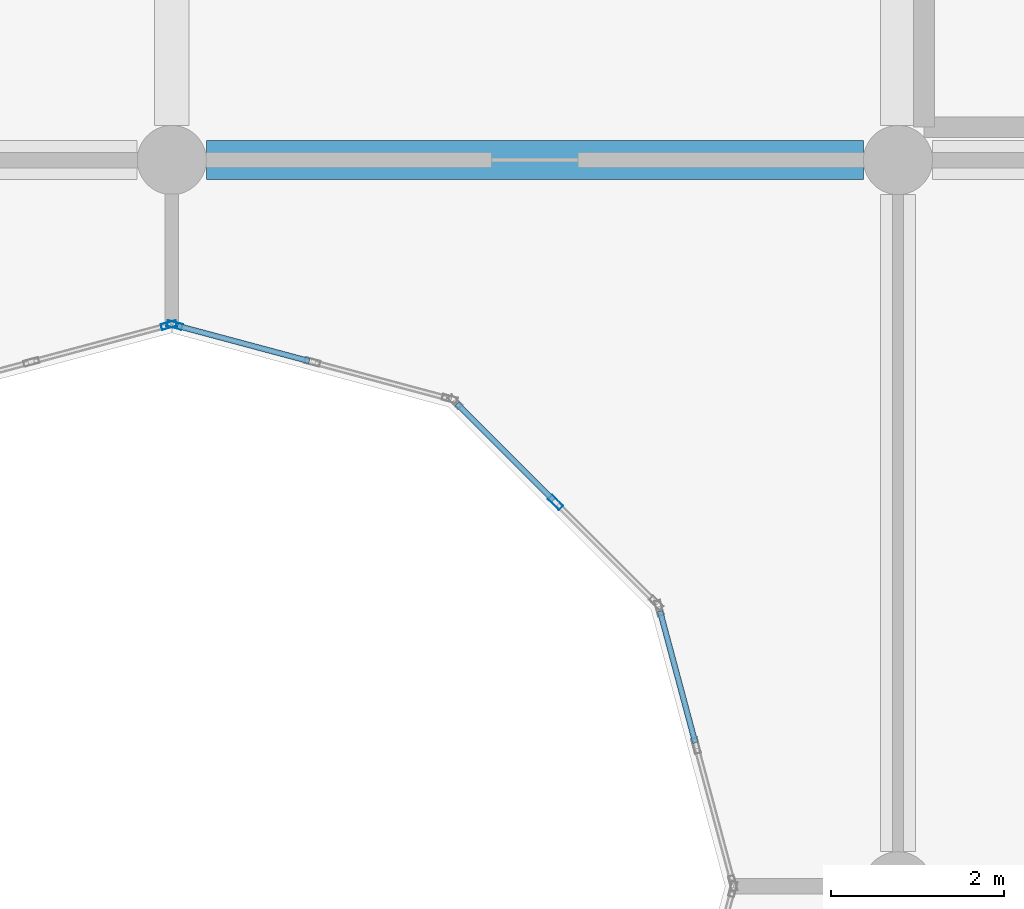
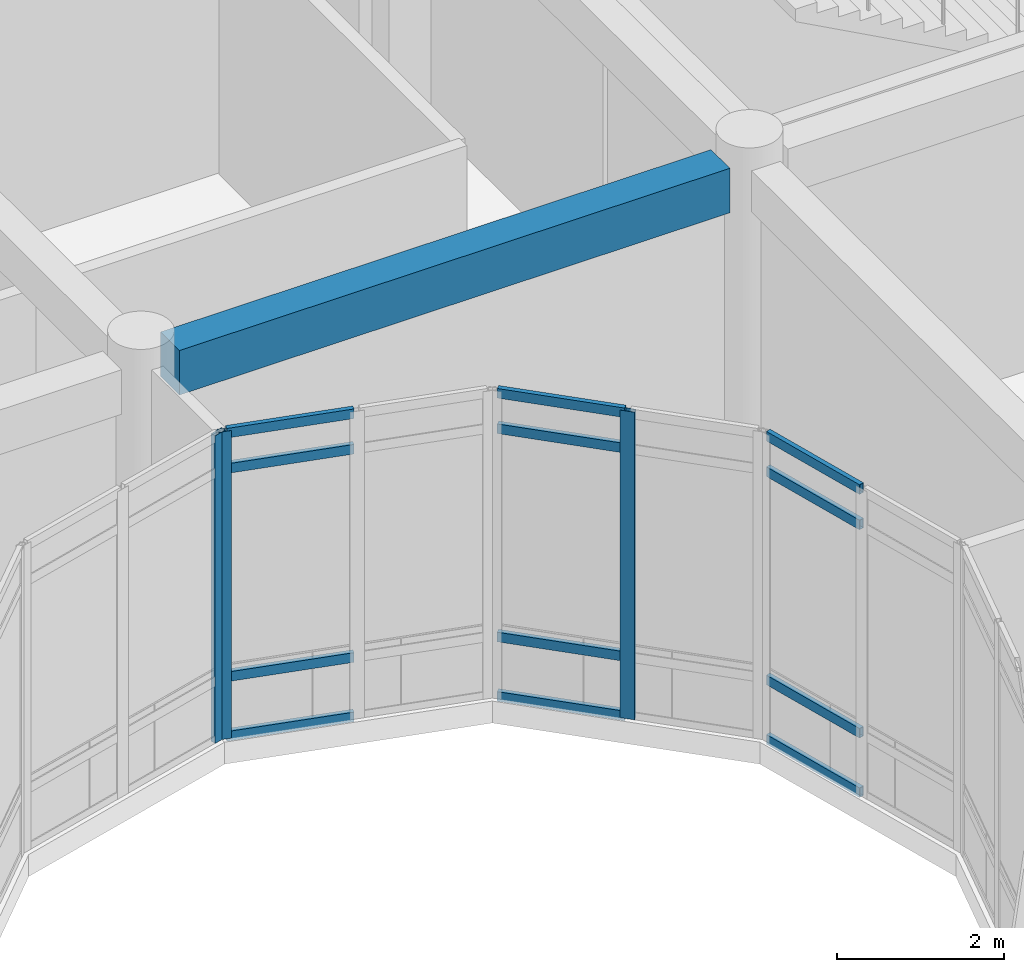
# One storey, part 45 of 138: 15 members, 1 beam, 4 elements without a shape of their own.
"""IFC4 building model written with IfcOpenShell, lengths in metres."""

import ifcopenshell
import ifcopenshell.guid

model = None  # the IFC model being written
_history = None  # IfcOwnerHistory: only IFC2X3 demands one
_inside = {}  # id of a spatial element -> (the spatial element, [elements in it])
_under = {}  # id of a project, library or spatial element -> (it, [spatial elements below it])
_declared = {}  # id of a project -> (the project, [libraries it declares])
_typed = {}  # id of a type object -> (the type object, [elements of that type])
_made_of = {}  # id of a material, layer set ... -> (it, [elements and type objects made of it])


def new_model(schema):
    """Start an empty IFC model of exactly this schema.

    Asked for "IFC4X3", IfcOpenShell would pick the latest addendum, in which some entities
    have other attributes; the version numbers below select the first issue.
    IFC2X3 requires an IfcOwnerHistory on every rooted entity: one is made here for all.
    """
    global model, _history
    if schema == "IFC4X3":
        model = ifcopenshell.file(schema_version=(4, 3, 0, 0))
    else:
        model = ifcopenshell.file(schema=schema)
    _inside.clear()
    _under.clear()
    _declared.clear()
    _typed.clear()
    _made_of.clear()
    _history = None
    if model.schema == "IFC2X3":
        org = make("IfcOrganization", Name="unknown")
        user = make(
            "IfcPersonAndOrganization",
            ThePerson=make("IfcPerson", FamilyName="unknown"),
            TheOrganization=org,
        )
        app = make(
            "IfcApplication",
            ApplicationDeveloper=org,
            Version="unknown",
            ApplicationFullName="unknown",
            ApplicationIdentifier="unknown",
        )
        _history = make(
            "IfcOwnerHistory",
            OwningUser=user,
            OwningApplication=app,
            ChangeAction="ADDED",
            CreationDate=0,
        )
    return model


def make(cls, **values):
    """One entity of the class cls with the attributes given. An attribute that is None is left unset."""
    return model.create_entity(
        cls, **{name: value for name, value in values.items() if value is not None}
    )


def rooted(cls, **values):
    """An entity with a GlobalId (a new one), such as an element, a storey or a relation."""
    return make(cls, GlobalId=ifcopenshell.guid.new(), OwnerHistory=_history, **values)


def si_unit(unit_type, name, prefix=None):
    """IfcSIUnit, for example si_unit("LENGTHUNIT", "METRE", prefix="MILLI")."""
    return make("IfcSIUnit", UnitType=unit_type, Prefix=prefix, Name=name)


def assignment(units):
    """IfcUnitAssignment: the units of a project."""
    return None if units is None else make("IfcUnitAssignment", Units=units)


def point(xyz):
    """IfcCartesianPoint."""
    return None if xyz is None else make("IfcCartesianPoint", Coordinates=xyz)


def direction(xyz):
    """IfcDirection."""
    return None if xyz is None else make("IfcDirection", DirectionRatios=xyz)


def frame(location, z_axis=None, x_axis=None):
    """IfcAxis2Placement3D, a coordinate frame: its origin and axes. An axis left out is left unset."""
    return make(
        "IfcAxis2Placement3D",
        Location=point(location),
        Axis=direction(z_axis),
        RefDirection=direction(x_axis),
    )


def frame_2d(location, x_axis=None):
    """IfcAxis2Placement2D, a coordinate frame in the plane: its origin and x axis."""
    return make(
        "IfcAxis2Placement2D", Location=point(location), RefDirection=direction(x_axis)
    )


def origin():
    """The frame at (0, 0, 0) with its axes left unset."""
    return frame((0.0, 0.0, 0.0))


def origin_2d():
    """The frame at (0, 0) in the plane with its x axis left unset."""
    return frame_2d((0.0, 0.0))


def place(relative_to, where):
    """IfcLocalPlacement: puts the frame where relative to a parent placement (None: the world)."""
    return make(
        "IfcLocalPlacement", PlacementRelTo=relative_to, RelativePlacement=where
    )


def context(
    kind, dimensions, precision=None, world=None, true_north=None, identifier=None
):
    """IfcGeometricRepresentationContext, for example the 3D "Model" context."""
    return make(
        "IfcGeometricRepresentationContext",
        ContextIdentifier=identifier,
        ContextType=kind,
        CoordinateSpaceDimension=dimensions,
        Precision=precision,
        WorldCoordinateSystem=world,
        TrueNorth=true_north,
    )


def subcontext(parent, identifier, kind, view, scale=None):
    """IfcGeometricRepresentationSubContext, for example "Body" below "Model"."""
    return make(
        "IfcGeometricRepresentationSubContext",
        ContextIdentifier=identifier,
        ContextType=kind,
        ParentContext=parent,
        TargetScale=scale,
        TargetView=view,
    )


def project(units=None, contexts=None):
    """IfcProject with its units and contexts."""
    return rooted(
        "IfcProject",
        Name="project",
        RepresentationContexts=contexts,
        UnitsInContext=assignment(units),
    )


def spatial(cls, under=None, at=None, **own):
    """A site, building, storey or space (cls), placed at a placement, below another one or the project."""
    s = rooted(cls, ObjectPlacement=at, **own)
    if under is not None:
        _under.setdefault(under.id(), (under, []))[1].append(s)
    return s


def profile(cls, at=None, kind="AREA", **sizes):
    """A parametric profile (cls). Its sizes go by their IFC names, for example OverallWidth=200.0."""
    return make(cls, ProfileType=kind, Position=at, **sizes)


def rectangle(**sizes):
    """IfcRectangleProfileDef."""
    return profile("IfcRectangleProfileDef", **sizes)


def hollow_rectangle(**sizes):
    """IfcRectangleHollowProfileDef."""
    return profile("IfcRectangleHollowProfileDef", **sizes)


def extrude(swept, where, along, depth):
    """IfcExtrudedAreaSolid: the profile swept, set in the frame where, extruded along a direction by depth."""
    return make(
        "IfcExtrudedAreaSolid",
        SweptArea=swept,
        Position=where,
        ExtrudedDirection=direction(along),
        Depth=depth,
    )


def shape(context_of_items, identifier, shape_type, items):
    """IfcShapeRepresentation: the items that make up one representation, for example the "Body"."""
    return make(
        "IfcShapeRepresentation",
        ContextOfItems=context_of_items,
        RepresentationIdentifier=identifier,
        RepresentationType=shape_type,
        Items=items,
    )


def material(Name=None, Category=None):
    """IfcMaterial."""
    return make("IfcMaterial", Name=Name, Category=Category)


def layer(
    of_material, thickness, ventilated=None, Name=None, Category=None, Priority=None
):
    """IfcMaterialLayer: one layer of a wall or slab, of a material (None: an air gap)."""
    return make(
        "IfcMaterialLayer",
        Material=of_material,
        LayerThickness=thickness,
        IsVentilated=ventilated,
        Name=Name,
        Category=Category,
        Priority=Priority,
    )


def layer_set(layers, Name=None):
    """IfcMaterialLayerSet."""
    return make("IfcMaterialLayerSet", MaterialLayers=layers, LayerSetName=Name)


def material_profile(
    of_material, cross_section, Name=None, Category=None, Priority=None
):
    """IfcMaterialProfile: a cross section and its material."""
    return make(
        "IfcMaterialProfile",
        Name=Name,
        Material=of_material,
        Profile=cross_section,
        Priority=Priority,
        Category=Category,
    )


def profile_set(profiles, Name=None, composite=None):
    """IfcMaterialProfileSet."""
    return make(
        "IfcMaterialProfileSet",
        Name=Name,
        MaterialProfiles=profiles,
        CompositeProfile=composite,
    )


def made_of(thing, what):
    """Note that an element or type object is made of a material, layer set ...; save() writes the relation."""
    if what is not None:
        _made_of.setdefault(what.id(), (what, []))[1].append(thing)
    return thing


def type_object(cls, material=None, **own):
    """A type object (cls), such as IfcWallType, which elements share."""
    return made_of(rooted(cls, **own), material)


def element(
    cls,
    number,
    at=None,
    inside=None,
    cuts=None,
    type_object=None,
    material=None,
    context=None,
    identifier="Body",
    shape_type=None,
    held_by="IfcProductDefinitionShape",
    body=None,
    shapes=None,
    **own,
):
    """One element of the class cls, such as IfcWall. Its Tag is "e" and its number.

    at: its placement. inside: the storey or other place that contains it. cuts: it is an
    opening in that element (IfcRelVoidsElement). A single representation is given by context,
    identifier, shape_type and body (its items); several are given by shapes. held_by: the class
    of the entity that holds the representations. save() writes the other relations.
    """
    e = rooted(cls, Tag="e%d" % number, ObjectPlacement=at, **own)
    if body is not None:
        shapes = [shape(context, identifier, shape_type, body)]
    if shapes is not None:
        e.Representation = make(held_by, Representations=shapes)
    if inside is not None:
        _inside.setdefault(inside.id(), (inside, []))[1].append(e)
    if cuts is not None:
        rooted(
            "IfcRelVoidsElement", RelatingBuildingElement=cuts, RelatedOpeningElement=e
        )
    if type_object is not None:
        _typed.setdefault(type_object.id(), (type_object, []))[1].append(e)
    return made_of(e, material)


def aggregate(whole, parts):
    """IfcRelAggregates: a whole, such as a stair, and the parts it consists of."""
    return rooted("IfcRelAggregates", RelatingObject=whole, RelatedObjects=parts)


def save(model, path):
    """Write the relations noted so far, then the file.

    IfcRelAggregates (storeys below a building ...), IfcRelContainedInSpatialStructure (elements
    in a storey), IfcRelDefinesByType, IfcRelAssociatesMaterial and IfcRelDeclares: one each for
    every whole, place, type object, material and project.
    """
    for whole, parts in _under.values():
        aggregate(whole, parts)
    for where, things in _inside.values():
        rooted(
            "IfcRelContainedInSpatialStructure",
            RelatedElements=things,
            RelatingStructure=where,
        )
    for kind, things in _typed.values():
        rooted("IfcRelDefinesByType", RelatedObjects=things, RelatingType=kind)
    for what, things in _made_of.values():
        rooted("IfcRelAssociatesMaterial", RelatedObjects=things, RelatingMaterial=what)
    for by, libraries in _declared.values():
        rooted("IfcRelDeclares", RelatingContext=by, RelatedDefinitions=libraries)
    model.write(path)


model = new_model("IFC4")

# Units and contexts
model_context = context("Model", 3, precision=1e-05, world=origin(), true_north=direction((0.0, 1.0)))
body_context = subcontext(model_context, "Body", "Model", "MODEL_VIEW")
ifc_project = project(units=[si_unit("LENGTHUNIT", "METRE"), si_unit("AREAUNIT", "SQUARE_METRE"), si_unit("VOLUMEUNIT", "CUBIC_METRE"), si_unit("PLANEANGLEUNIT", "RADIAN"), si_unit("MASSUNIT", "GRAM", prefix="KILO")], contexts=[model_context])

# Site, building, storey
site_placement = place(None, origin())
site = spatial("IfcSite", under=ifc_project, at=site_placement, CompositionType="ELEMENT")
building_placement = place(site_placement, origin())
building = spatial("IfcBuilding", under=site, at=building_placement, Name="Bramfleet General Hospital", CompositionType="ELEMENT")
storey_placement = place(building_placement, origin())
storey = spatial("IfcBuildingStorey", under=building, at=storey_placement, Name="L00", CompositionType="ELEMENT", Elevation=0.0)

# Beam
ifc_material_1 = material(Name="Concrete C35/45", Category="concrete")
ifc_material_profile_1 = material_profile(ifc_material_1, rectangle(XDim=0.449951171875, YDim=0.64990234375, at=origin_2d()), Name="RC BM 650x450")
ifc_profile_set_1 = profile_set([ifc_material_profile_1], Name="Concrete C35/45")
beam_type = type_object("IfcBeamType", Name="BM-RC650", PredefinedType="BEAM", material=ifc_profile_set_1)
beam_placement = place(storey_placement, frame((118.0, 75.60009765625, 4.175048828125), z_axis=(1.0, 0.0, 0.0), x_axis=(0.0, 1.0, 0.0)))
element("IfcBeam", 1, at=beam_placement, inside=storey, type_object=beam_type, Name="L00 Grid Beam X 14-09", PredefinedType="BEAM", context=body_context, shape_type="SweptSolid", body=[
    extrude(rectangle(XDim=0.449951171875, YDim=0.64990234375, at=origin_2d()), origin(), (0.0, 0.0, 1.0), 7.60009765625),
])

# Curtain wall, member
ifc_material_2 = material(Name="Anodised aluminium and low-E triple glazing", Category="aluminium")
ifc_layer_1 = layer(ifc_material_2, 0.179931640625, Name="CWT-CW-12")
ifc_layer_set_1 = layer_set([ifc_layer_1], Name="Anodised aluminium and low-E triple glazing")
curtain_wall_type_1 = type_object("IfcCurtainWallType", Name="CWT-CW-12", PredefinedType="USERDEFINED", material=ifc_layer_set_1)
curtain_wall_1_placement = place(storey_placement, origin())
curtain_wall_1 = element("IfcCurtainWall", 2, at=curtain_wall_1_placement, inside=storey, type_object=curtain_wall_type_1, Name="L00 East Laboratory Light Court Curtain Wall 8.1", ObjectType="Stick curtain wall", PredefinedType="USERDEFINED")
ifc_material_3 = material(Name="Anodised aluminium EN AW-6060", Category="aluminium")
ifc_material_profile_2 = material_profile(ifc_material_3, hollow_rectangle(XDim=0.070068359375, YDim=0.179931640625, WallThickness=0.00390625, at=origin_2d()), Name="ALU 180x70x4.0")
ifc_profile_set_2 = profile_set([ifc_material_profile_2], Name="Anodised aluminium EN AW-6060")
member_type_1 = type_object("IfcMemberType", Name="CWM-ALU180", PredefinedType="MULLION", material=ifc_profile_set_2)
member_1_placement = place(storey_placement, frame((122.03955078125, 71.639404296875, 0.0), z_axis=(0.0, 0.0, 1.0), x_axis=(-0.707106781187, -0.707106781187, 0.0)))
member_1 = element("IfcMember", 3, at=member_1_placement, type_object=member_type_1, Name="CW-12 mullion 2", PredefinedType="MULLION", context=body_context, shape_type="SweptSolid", body=[
    extrude(hollow_rectangle(XDim=0.070068359375, YDim=0.179931640625, WallThickness=0.00390625, at=origin_2d()), origin(), (0.0, 0.0, 1.0), 4.489990234375),
])

ifc_layer_2 = layer(ifc_material_2, 0.179931640625, Name="CWT-CW-13")
ifc_layer_set_2 = layer_set([ifc_layer_2], Name="Anodised aluminium and low-E triple glazing")
curtain_wall_type_2 = type_object("IfcCurtainWallType", Name="CWT-CW-13", PredefinedType="USERDEFINED", material=ifc_layer_set_2)
curtain_wall_2_placement = place(storey_placement, origin())
curtain_wall_2 = element("IfcCurtainWall", 4, at=curtain_wall_2_placement, inside=storey, type_object=curtain_wall_type_2, Name="L00 East Laboratory Light Court Curtain Wall 9.1", ObjectType="Stick curtain wall", PredefinedType="USERDEFINED")
member_2_placement = place(storey_placement, frame((117.6337890625, 73.69091796875, 0.0), z_axis=(0.0, 0.0, 1.0), x_axis=(-0.258864833085, -0.965913556273, 0.0)))
member_2 = element("IfcMember", 5, at=member_2_placement, type_object=member_type_1, Name="CW-13 mullion 3", PredefinedType="MULLION", context=body_context, shape_type="SweptSolid", body=[
    extrude(hollow_rectangle(XDim=0.070068359375, YDim=0.179931640625, WallThickness=0.00390625, at=origin_2d()), origin(), (0.0, 0.0, 1.0), 4.489990234375),
])

ifc_layer_3 = layer(ifc_material_2, 0.179931640625, Name="CWT-CW-14")
ifc_layer_set_3 = layer_set([ifc_layer_3], Name="Anodised aluminium and low-E triple glazing")
curtain_wall_type_3 = type_object("IfcCurtainWallType", Name="CWT-CW-14", PredefinedType="USERDEFINED", material=ifc_layer_set_3)
curtain_wall_3_placement = place(storey_placement, origin())
curtain_wall_3 = element("IfcCurtainWall", 6, at=curtain_wall_3_placement, inside=storey, type_object=curtain_wall_type_3, Name="L00 East Laboratory Light Court Curtain Wall 10.1", ObjectType="Stick curtain wall", PredefinedType="USERDEFINED")
member_3_placement = place(storey_placement, frame((117.566162109375, 73.69091796875, 0.0), z_axis=(0.0, 0.0, 1.0), x_axis=(0.258864833085, -0.965913556273, 0.0)))
member_3 = element("IfcMember", 7, at=member_3_placement, type_object=member_type_1, Name="CW-14 mullion 1", PredefinedType="MULLION", context=body_context, shape_type="SweptSolid", body=[
    extrude(hollow_rectangle(XDim=0.070068359375, YDim=0.179931640625, WallThickness=0.00390625, at=origin_2d()), origin(), (0.0, 0.0, 1.0), 4.489990234375),
])
aggregate(curtain_wall_3, [member_3])

# Curtain wall, members
ifc_layer_4 = layer(ifc_material_2, 0.179931640625, Name="CWT-CW-11")
ifc_layer_set_4 = layer_set([ifc_layer_4], Name="Anodised aluminium and low-E triple glazing")
curtain_wall_type_4 = type_object("IfcCurtainWallType", Name="CWT-CW-11", PredefinedType="USERDEFINED", material=ifc_layer_set_4)
curtain_wall_4_placement = place(storey_placement, origin())
curtain_wall_4 = element("IfcCurtainWall", 8, at=curtain_wall_4_placement, inside=storey, type_object=curtain_wall_type_4, Name="L00 East Laboratory Light Court Curtain Wall 7.1", ObjectType="Stick curtain wall", PredefinedType="USERDEFINED")
ifc_material_profile_3 = material_profile(ifc_material_3, hollow_rectangle(XDim=0.06494140625, YDim=0.139892578125, WallThickness=0.00390625, at=origin_2d()), Name="ALU 140x65x4.0")
ifc_profile_set_3 = profile_set([ifc_material_profile_3], Name="Anodised aluminium EN AW-6060")
member_type_2 = type_object("IfcMemberType", Name="CWT-ALU140", PredefinedType="USERDEFINED", material=ifc_profile_set_3)
member_4_placement = place(storey_placement, frame((123.655517578125, 68.85888671875, 0.032470703125), z_axis=(-0.258963035312, 0.965887232725, 0.0), x_axis=(-0.965887232725, -0.258963035312, 0.0)))
member_4 = element("IfcMember", 9, at=member_4_placement, type_object=member_type_2, Name="CW-11 transom 2.1", ObjectType="TRANSOM", PredefinedType="USERDEFINED", context=body_context, shape_type="SweptSolid", body=[
    extrude(hollow_rectangle(XDim=0.06494140625, YDim=0.139892578125, WallThickness=0.00390625, at=origin_2d()), origin(), (0.0, 0.0, 1.0), 1.5771484375),
])
member_5_placement = place(storey_placement, frame((123.655517578125, 68.85888671875, 0.89990234375), z_axis=(-0.258963035312, 0.965887232725, 0.0), x_axis=(-0.965887232725, -0.258963035312, 0.0)))
member_5 = element("IfcMember", 10, at=member_5_placement, type_object=member_type_2, Name="CW-11 transom 2.2", ObjectType="TRANSOM", PredefinedType="USERDEFINED", context=body_context, shape_type="SweptSolid", body=[
    extrude(hollow_rectangle(XDim=0.06494140625, YDim=0.139892578125, WallThickness=0.00390625, at=origin_2d()), origin(), (0.0, 0.0, 1.0), 1.5771484375),
])
member_6_placement = place(storey_placement, frame((123.655517578125, 68.85888671875, 3.93994140625), z_axis=(-0.258963035312, 0.965887232725, 0.0), x_axis=(-0.965887232725, -0.258963035312, 0.0)))
member_6 = element("IfcMember", 11, at=member_6_placement, type_object=member_type_2, Name="CW-11 transom 2.3", ObjectType="TRANSOM", PredefinedType="USERDEFINED", context=body_context, shape_type="SweptSolid", body=[
    extrude(hollow_rectangle(XDim=0.06494140625, YDim=0.139892578125, WallThickness=0.00390625, at=origin_2d()), origin(), (0.0, 0.0, 1.0), 1.5771484375),
])
member_7_placement = place(storey_placement, frame((123.655517578125, 68.85888671875, 4.45751953125), z_axis=(-0.258963035312, 0.965887232725, 0.0), x_axis=(-0.965887232725, -0.258963035312, 0.0)))
member_7 = element("IfcMember", 12, at=member_7_placement, type_object=member_type_2, Name="CW-11 transom 2.4", ObjectType="TRANSOM", PredefinedType="USERDEFINED", context=body_context, shape_type="SweptSolid", body=[
    extrude(hollow_rectangle(XDim=0.06494140625, YDim=0.139892578125, WallThickness=0.00390625, at=origin_2d()), origin(), (0.0, 0.0, 1.0), 1.5771484375),
])
aggregate(curtain_wall_4, [member_4, member_5, member_6, member_7])

# Member
member_8_placement = place(storey_placement, frame((122.0146484375, 71.664306640625, 0.032470703125), z_axis=(-0.707106781187, 0.707106781187, 0.0), x_axis=(-0.707106781187, -0.707106781187, 0.0)))
member_8 = element("IfcMember", 13, at=member_8_placement, type_object=member_type_2, Name="CW-12 transom 2.1", ObjectType="TRANSOM", PredefinedType="USERDEFINED", context=body_context, shape_type="SweptSolid", body=[
    extrude(hollow_rectangle(XDim=0.06494140625, YDim=0.139892578125, WallThickness=0.00390625, at=origin_2d()), origin(), (0.0, 0.0, 1.0), 1.5771484375),
])

member_9_placement = place(storey_placement, frame((122.0146484375, 71.664306640625, 0.89990234375), z_axis=(-0.707106781187, 0.707106781187, 0.0), x_axis=(-0.707106781187, -0.707106781187, 0.0)))
member_9 = element("IfcMember", 14, at=member_9_placement, type_object=member_type_2, Name="CW-12 transom 2.2", ObjectType="TRANSOM", PredefinedType="USERDEFINED", context=body_context, shape_type="SweptSolid", body=[
    extrude(hollow_rectangle(XDim=0.06494140625, YDim=0.139892578125, WallThickness=0.00390625, at=origin_2d()), origin(), (0.0, 0.0, 1.0), 1.5771484375),
])

member_10_placement = place(storey_placement, frame((122.0146484375, 71.664306640625, 3.93994140625), z_axis=(-0.707106781187, 0.707106781187, 0.0), x_axis=(-0.707106781187, -0.707106781187, 0.0)))
member_10 = element("IfcMember", 15, at=member_10_placement, type_object=member_type_2, Name="CW-12 transom 2.3", ObjectType="TRANSOM", PredefinedType="USERDEFINED", context=body_context, shape_type="SweptSolid", body=[
    extrude(hollow_rectangle(XDim=0.06494140625, YDim=0.139892578125, WallThickness=0.00390625, at=origin_2d()), origin(), (0.0, 0.0, 1.0), 1.5771484375),
])

member_11_placement = place(storey_placement, frame((122.0146484375, 71.664306640625, 4.45751953125), z_axis=(-0.707106781187, 0.707106781187, 0.0), x_axis=(-0.707106781187, -0.707106781187, 0.0)))
member_11 = element("IfcMember", 16, at=member_11_placement, type_object=member_type_2, Name="CW-12 transom 2.4", ObjectType="TRANSOM", PredefinedType="USERDEFINED", context=body_context, shape_type="SweptSolid", body=[
    extrude(hollow_rectangle(XDim=0.06494140625, YDim=0.139892578125, WallThickness=0.00390625, at=origin_2d()), origin(), (0.0, 0.0, 1.0), 1.5771484375),
])

aggregate(curtain_wall_1, [member_1, member_8, member_9, member_10, member_11])

member_12_placement = place(storey_placement, frame((119.191162109375, 73.273681640625, 0.032470703125), z_axis=(-0.965925940868, 0.258818617489, 0.0), x_axis=(-0.258818617489, -0.965925940868, 0.0)))
member_12 = element("IfcMember", 17, at=member_12_placement, type_object=member_type_2, Name="CW-13 transom 2.1", ObjectType="TRANSOM", PredefinedType="USERDEFINED", context=body_context, shape_type="SweptSolid", body=[
    extrude(hollow_rectangle(XDim=0.06494140625, YDim=0.139892578125, WallThickness=0.00390625, at=origin_2d()), origin(), (0.0, 0.0, 1.0), 1.5771484375),
])

member_13_placement = place(storey_placement, frame((119.191162109375, 73.273681640625, 0.89990234375), z_axis=(-0.965925940868, 0.258818617489, 0.0), x_axis=(-0.258818617489, -0.965925940868, 0.0)))
member_13 = element("IfcMember", 18, at=member_13_placement, type_object=member_type_2, Name="CW-13 transom 2.2", ObjectType="TRANSOM", PredefinedType="USERDEFINED", context=body_context, shape_type="SweptSolid", body=[
    extrude(hollow_rectangle(XDim=0.06494140625, YDim=0.139892578125, WallThickness=0.00390625, at=origin_2d()), origin(), (0.0, 0.0, 1.0), 1.5771484375),
])

member_14_placement = place(storey_placement, frame((119.191162109375, 73.273681640625, 3.93994140625), z_axis=(-0.965925940868, 0.258818617489, 0.0), x_axis=(-0.258818617489, -0.965925940868, 0.0)))
member_14 = element("IfcMember", 19, at=member_14_placement, type_object=member_type_2, Name="CW-13 transom 2.3", ObjectType="TRANSOM", PredefinedType="USERDEFINED", context=body_context, shape_type="SweptSolid", body=[
    extrude(hollow_rectangle(XDim=0.06494140625, YDim=0.139892578125, WallThickness=0.00390625, at=origin_2d()), origin(), (0.0, 0.0, 1.0), 1.5771484375),
])

member_15_placement = place(storey_placement, frame((119.191162109375, 73.273681640625, 4.45751953125), z_axis=(-0.965925940868, 0.258818617489, 0.0), x_axis=(-0.258818617489, -0.965925940868, 0.0)))
member_15 = element("IfcMember", 20, at=member_15_placement, type_object=member_type_2, Name="CW-13 transom 2.4", ObjectType="TRANSOM", PredefinedType="USERDEFINED", context=body_context, shape_type="SweptSolid", body=[
    extrude(hollow_rectangle(XDim=0.06494140625, YDim=0.139892578125, WallThickness=0.00390625, at=origin_2d()), origin(), (0.0, 0.0, 1.0), 1.5771484375),
])

aggregate(curtain_wall_2, [member_2, member_12, member_13, member_14, member_15])

save(model, "model.ifc")
